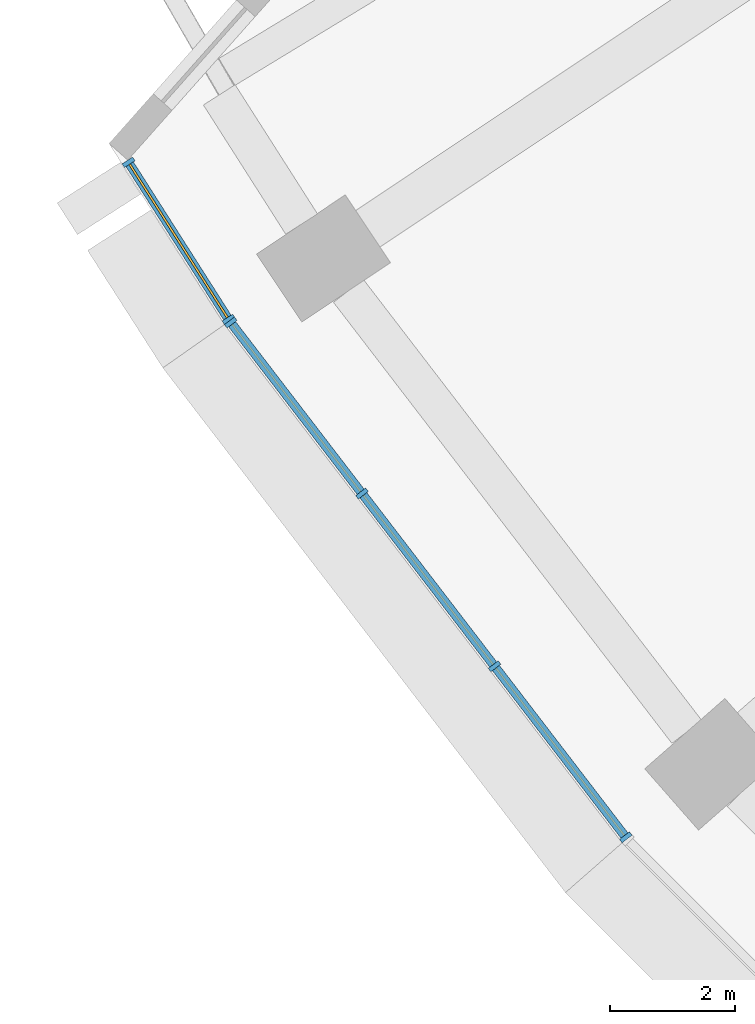
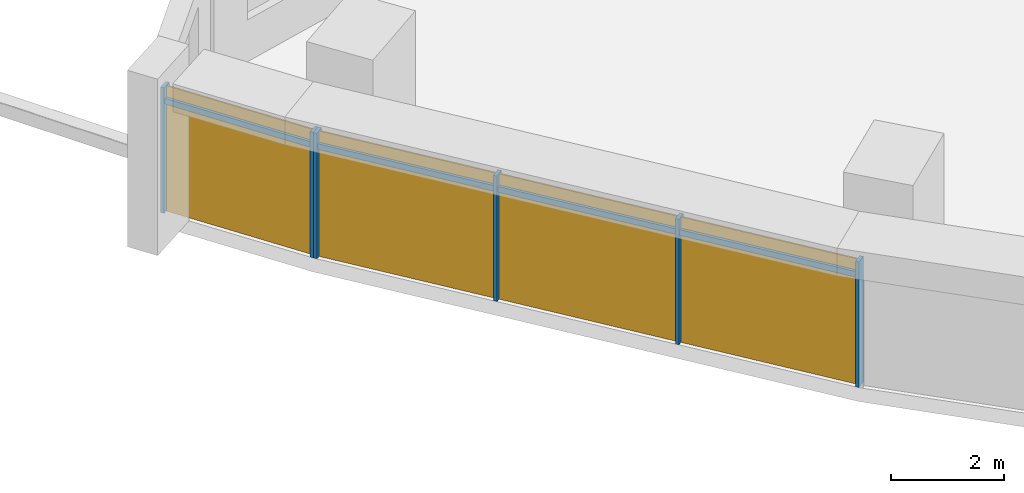
# One storey, part 21 of 33: 10 members, 2 curtain walls.
"""IFC4 building model written with IfcOpenShell, lengths in metres."""

from ifc_helpers import new_model, si_unit, direction, frame, origin, origin_2d, place, context, subcontext, project, spatial, rectangle, extrude, material, material_profile, profile_set, type_object, element, aggregate, save


model = new_model("IFC4")

# Units and contexts
model_context = context("Model", 3, precision=1e-05, world=origin(), true_north=direction((0.0, 1.0)))
body_context = subcontext(model_context, "Body", "Model", "MODEL_VIEW")
ifc_project = project(units=[si_unit("LENGTHUNIT", "METRE"), si_unit("AREAUNIT", "SQUARE_METRE"), si_unit("VOLUMEUNIT", "CUBIC_METRE"), si_unit("PLANEANGLEUNIT", "RADIAN"), si_unit("MASSUNIT", "GRAM", prefix="KILO")], contexts=[model_context])

# Member
ifc_material = material(Name="Aluminium 6063-T6 anodised", Category="aluminium")
ifc_material_profile_1 = material_profile(ifc_material, rectangle(XDim=0.199951171875, YDim=0.070068359375, at=origin_2d()))
ifc_profile_set_1 = profile_set([ifc_material_profile_1], Name="Aluminium 6063-T6 anodised")
member_type_1 = type_object("IfcMemberType", Name="Mullion 70 x 200 aluminium", PredefinedType="MULLION", material=ifc_profile_set_1)
site_placement = place(None, origin())
building_placement = place(site_placement, origin())
storey_placement = place(building_placement, frame((0.0, 0.0, 78.5)))
member_1_placement = place(storey_placement, frame((-67.757568359375, -41.66357421875, 0.0), z_axis=(0.0, 0.0, 1.0), x_axis=(0.843222031834, 0.537565442555, 0.0)))
member_1 = element("IfcMember", 1, at=member_1_placement, type_object=member_type_1, Name="e-cw1-L16-out00/M00", PredefinedType="MULLION", context=body_context, shape_type="SweptSolid", body=[
    extrude(rectangle(XDim=0.199951171875, YDim=0.070068359375, at=origin_2d()), origin(), (0.0, 0.0, 1.0), 2.699951171875),
])

member_2_placement = place(storey_placement, frame((-66.1611328125, -44.16796875, 0.0), z_axis=(0.0, 0.0, 1.0), x_axis=(0.843222031834, 0.537565442555, 0.0)))
member_2 = element("IfcMember", 2, at=member_2_placement, type_object=member_type_1, Name="e-cw1-L16-out00/M01", PredefinedType="MULLION", context=body_context, shape_type="SweptSolid", body=[
    extrude(rectangle(XDim=0.199951171875, YDim=0.070068359375, at=origin_2d()), origin(), (0.0, 0.0, 1.0), 2.699951171875),
])

member_3_placement = place(storey_placement, frame((-66.1259765625, -44.218017578125, 0.0), z_axis=(0.0, 0.0, 1.0), x_axis=(0.793353340291, 0.608761429009, 0.0)))
member_3 = element("IfcMember", 3, at=member_3_placement, type_object=member_type_1, Name="e-cw1-L16-out01/M00", PredefinedType="MULLION", context=body_context, shape_type="SweptSolid", body=[
    extrude(rectangle(XDim=0.199951171875, YDim=0.070068359375, at=origin_2d()), origin(), (0.0, 0.0, 1.0), 2.699951171875),
])

member_4_placement = place(storey_placement, frame((-64.032958984375, -46.945556640625, 0.0), z_axis=(0.0, 0.0, 1.0), x_axis=(0.793353340291, 0.608761429009, 0.0)))
member_4 = element("IfcMember", 4, at=member_4_placement, type_object=member_type_1, Name="e-cw1-L16-out01/M01", PredefinedType="MULLION", context=body_context, shape_type="SweptSolid", body=[
    extrude(rectangle(XDim=0.199951171875, YDim=0.070068359375, at=origin_2d()), origin(), (0.0, 0.0, 1.0), 2.699951171875),
])

member_5_placement = place(storey_placement, frame((-61.9189453125, -49.70068359375, 0.0), z_axis=(0.0, 0.0, 1.0), x_axis=(0.793353340291, 0.608761429009, 0.0)))
member_5 = element("IfcMember", 5, at=member_5_placement, type_object=member_type_1, Name="e-cw1-L16-out01/M02", PredefinedType="MULLION", context=body_context, shape_type="SweptSolid", body=[
    extrude(rectangle(XDim=0.199951171875, YDim=0.070068359375, at=origin_2d()), origin(), (0.0, 0.0, 1.0), 2.699951171875),
])

member_6_placement = place(storey_placement, frame((-59.825927734375, -52.42822265625, 0.0), z_axis=(0.0, 0.0, 1.0), x_axis=(0.793353340291, 0.608761429009, 0.0)))
member_6 = element("IfcMember", 6, at=member_6_placement, type_object=member_type_1, Name="e-cw1-L16-out01/M03", PredefinedType="MULLION", context=body_context, shape_type="SweptSolid", body=[
    extrude(rectangle(XDim=0.199951171875, YDim=0.070068359375, at=origin_2d()), origin(), (0.0, 0.0, 1.0), 2.699951171875),
])

ifc_material_profile_2 = material_profile(ifc_material, rectangle(XDim=0.139892578125, YDim=0.1201171875, at=origin_2d()))
ifc_profile_set_2 = profile_set([ifc_material_profile_2], Name="Aluminium 6063-T6 anodised")
member_type_2 = type_object("IfcMemberType", Name="Transom 120 x 140 aluminium", PredefinedType="USERDEFINED", material=ifc_profile_set_2)
member_7_placement = place(storey_placement, frame((-67.73876953125, -41.693115234375, 2.39990234375), z_axis=(0.537545366522, -0.84323483024, 0.0), x_axis=(0.84323483024, 0.537545366522, 0.0)))
member_7 = element("IfcMember", 7, at=member_7_placement, type_object=member_type_2, Name="e-cw1-L16-out00/T00", ObjectType="TRANSOM", PredefinedType="USERDEFINED", context=body_context, shape_type="SweptSolid", body=[
    extrude(rectangle(XDim=0.139892578125, YDim=0.1201171875, at=origin_2d()), origin(), (0.0, 0.0, 1.0), 2.89990234375),
])

member_8_placement = place(storey_placement, frame((-66.1044921875, -44.245849609375, 2.39990234375), z_axis=(0.608732839803, -0.793375276742, 0.0), x_axis=(0.793375276742, 0.608732839803, 0.0)))
member_8 = element("IfcMember", 8, at=member_8_placement, type_object=member_type_2, Name="e-cw1-L16-out01/T00", ObjectType="TRANSOM", PredefinedType="USERDEFINED", context=body_context, shape_type="SweptSolid", body=[
    extrude(rectangle(XDim=0.139892578125, YDim=0.1201171875, at=origin_2d()), origin(), (0.0, 0.0, 1.0), 3.36767578125),
])

member_9_placement = place(storey_placement, frame((-64.01171875, -46.973388671875, 2.39990234375), z_axis=(0.60875683052, -0.793356868815, 0.0), x_axis=(0.793356868815, 0.60875683052, 0.0)))
member_9 = element("IfcMember", 9, at=member_9_placement, type_object=member_type_2, Name="e-cw1-L16-out01/T01", ObjectType="TRANSOM", PredefinedType="USERDEFINED", context=body_context, shape_type="SweptSolid", body=[
    extrude(rectangle(XDim=0.139892578125, YDim=0.1201171875, at=origin_2d()), origin(), (0.0, 0.0, 1.0), 3.40283203125),
])

member_10_placement = place(storey_placement, frame((-61.8974609375, -49.728515625, 2.39990234375), z_axis=(0.608732839803, -0.793375276742, 0.0), x_axis=(0.793375276742, 0.608732839803, 0.0)))
member_10 = element("IfcMember", 10, at=member_10_placement, type_object=member_type_2, Name="e-cw1-L16-out01/T02", ObjectType="TRANSOM", PredefinedType="USERDEFINED", context=body_context, shape_type="SweptSolid", body=[
    extrude(rectangle(XDim=0.139892578125, YDim=0.1201171875, at=origin_2d()), origin(), (0.0, 0.0, 1.0), 3.36767578125),
])

# Site, building, storey
site = spatial("IfcSite", under=ifc_project, at=site_placement, CompositionType="ELEMENT")
building = spatial("IfcBuilding", under=site, at=building_placement, Name="Qamariyya Broadcast Tower", CompositionType="ELEMENT")
storey = spatial("IfcBuildingStorey", under=building, at=storey_placement, Name="L16", CompositionType="ELEMENT", Elevation=78.5)

# Curtain wall
curtain_wall_type = type_object("IfcCurtainWallType", Name="Unitised curtain wall, anodised aluminium", PredefinedType="NOTDEFINED", material=ifc_material)
curtain_wall_1_placement = place(storey_placement, origin())
curtain_wall_1 = element("IfcCurtainWall", 11, at=curtain_wall_1_placement, inside=storey, type_object=curtain_wall_type, Name="e-cw1-L16-out00", PredefinedType="NOTDEFINED", context=body_context, shape_type="SweptSolid", body=[
    extrude(rectangle(XDim=2.89990234375, YDim=0.031982421875, at=origin_2d()), frame((-66.95947265625, -42.915771484375, 0.0), x_axis=(0.537514510852, -0.84325449932, 0.0)), (0.0, 0.0, 1.0), 2.340087890625),
    extrude(rectangle(XDim=2.89990234375, YDim=0.031982421875, at=origin_2d()), frame((-66.95947265625, -42.915771484375, 2.4599609375), x_axis=(0.537514510852, -0.84325449932, 0.0)), (0.0, 0.0, 1.0), 0.239990234375),
])

aggregate(curtain_wall_1, [member_1, member_2, member_7])

curtain_wall_2_placement = place(storey_placement, origin())
curtain_wall_2 = element("IfcCurtainWall", 12, at=curtain_wall_2_placement, inside=storey, type_object=curtain_wall_type, Name="e-cw1-L16-out01", PredefinedType="NOTDEFINED", context=body_context, shape_type="SweptSolid", body=[
    extrude(rectangle(XDim=3.367919921875, YDim=0.031982421875, at=origin_2d()), frame((-65.07958984375, -45.581787109375, 0.0), x_axis=(0.608755679475, -0.79335775203, 0.0)), (0.0, 0.0, 1.0), 2.340087890625),
    extrude(rectangle(XDim=3.367919921875, YDim=0.031982421875, at=origin_2d()), frame((-65.07958984375, -45.581787109375, 2.4599609375), x_axis=(0.608755679475, -0.79335775203, 0.0)), (0.0, 0.0, 1.0), 0.239990234375),
    extrude(rectangle(XDim=3.40283203125, YDim=0.031982421875, at=origin_2d()), frame((-62.97607421875, -48.3232421875, 0.0), x_axis=(0.608755679475, -0.79335775203, 0.0)), (0.0, 0.0, 1.0), 2.340087890625),
    extrude(rectangle(XDim=3.40283203125, YDim=0.031982421875, at=origin_2d()), frame((-62.97607421875, -48.3232421875, 2.4599609375), x_axis=(0.608755679475, -0.79335775203, 0.0)), (0.0, 0.0, 1.0), 0.239990234375),
    extrude(rectangle(XDim=3.367919921875, YDim=0.031982421875, at=origin_2d()), frame((-60.872314453125, -51.064453125, 0.0), x_axis=(0.608755679475, -0.79335775203, 0.0)), (0.0, 0.0, 1.0), 2.340087890625),
    extrude(rectangle(XDim=3.367919921875, YDim=0.031982421875, at=origin_2d()), frame((-60.872314453125, -51.064453125, 2.4599609375), x_axis=(0.608755679475, -0.79335775203, 0.0)), (0.0, 0.0, 1.0), 0.239990234375),
])

aggregate(curtain_wall_2, [member_3, member_4, member_5, member_6, member_8, member_9, member_10])

save(model, "model.ifc")
